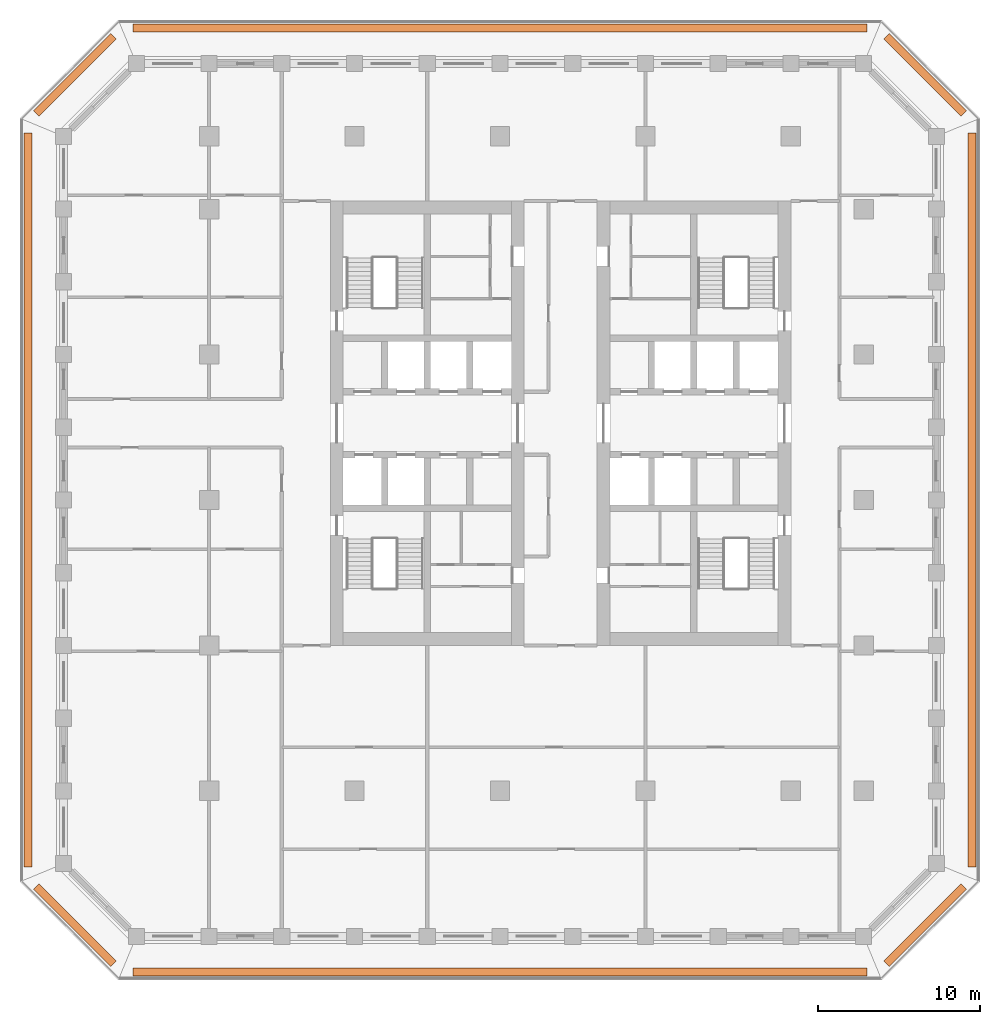
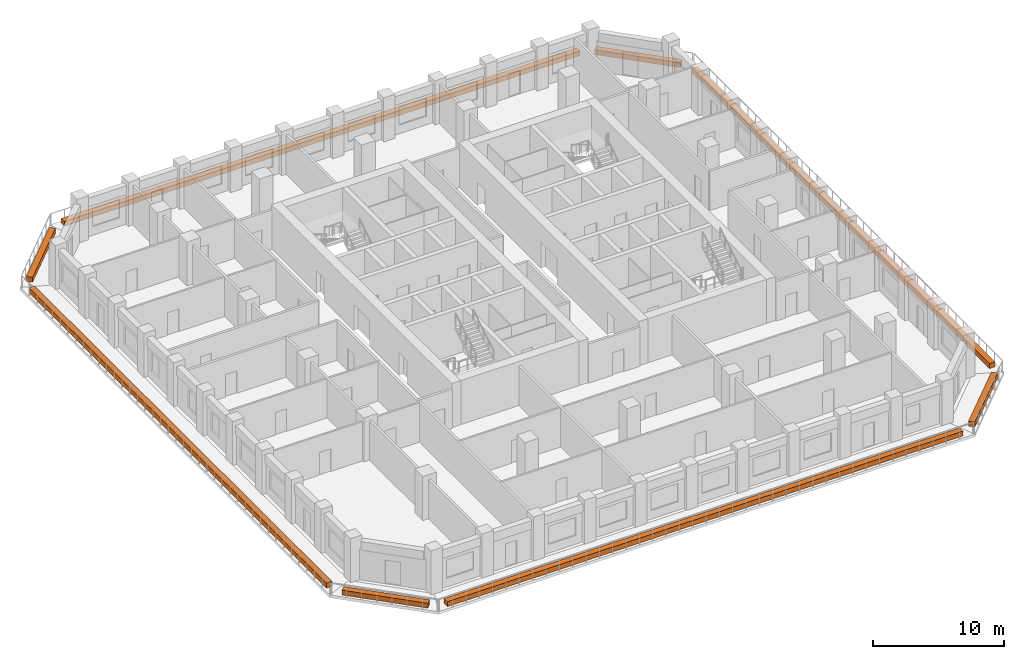
# One storey, part 16 of 16: 8 proxies.
"""IFC4 building model written with IfcOpenShell, lengths in metres."""

from ifc_helpers import new_model, si_unit, direction, frame, origin, origin_2d, place, context, subcontext, project, spatial, rectangle, extrude, material, type_object, element, save


model = new_model("IFC4")

# Units and contexts
model_context = context("Model", 3, precision=1e-05, world=origin(), true_north=direction((0.0, 1.0)))
body_context = subcontext(model_context, "Body", "Model", "MODEL_VIEW")
ifc_project = project(units=[si_unit("LENGTHUNIT", "METRE"), si_unit("AREAUNIT", "SQUARE_METRE"), si_unit("VOLUMEUNIT", "CUBIC_METRE"), si_unit("PLANEANGLEUNIT", "RADIAN"), si_unit("MASSUNIT", "GRAM", prefix="KILO")], contexts=[model_context])

# Site, building, storey
site_placement = place(None, origin())
site = spatial("IfcSite", under=ifc_project, at=site_placement, CompositionType="ELEMENT")
building_placement = place(site_placement, origin())
building = spatial("IfcBuilding", under=site, at=building_placement, Name="Corbel Stack Research Tower", CompositionType="ELEMENT")
storey_placement = place(building_placement, frame((0.0, 0.0, 177.300048828125)))
storey = spatial("IfcBuildingStorey", under=building, at=storey_placement, Name="L40", CompositionType="ELEMENT", Elevation=177.300048828125)

# Proxies
ifc_material = material(Name="Concrete C45/55", Category="concrete")
building_element_proxy_type = type_object("IfcBuildingElementProxyType", Name="Planter box", PredefinedType="USERDEFINED", material=ifc_material)
proxy_1_placement = place(storey_placement, frame((0.0, -29.199951171875, 0.0), z_axis=(0.0, 0.0, 1.0), x_axis=(1.0, 0.0, 0.0)))
element("IfcBuildingElementProxy", 1, at=proxy_1_placement, inside=storey, type_object=building_element_proxy_type, Name="Planter L40 S", ObjectType="PLANTER", PredefinedType="USERDEFINED", context=body_context, shape_type="SweptSolid", body=[
    extrude(rectangle(XDim=45.41064453125, YDim=0.5, at=origin_2d()), origin(), (0.0, 0.0, 1.0), 0.449951171875),
])
proxy_2_placement = place(storey_placement, frame((26.3056640625, -26.3056640625, 0.0), z_axis=(0.0, 0.0, 1.0), x_axis=(0.707106781187, 0.707106781187, 0.0)))
element("IfcBuildingElementProxy", 2, at=proxy_2_placement, inside=storey, type_object=building_element_proxy_type, Name="Planter L40 SE", ObjectType="PLANTER", PredefinedType="USERDEFINED", context=body_context, shape_type="SweptSolid", body=[
    extrude(rectangle(XDim=6.774658203125, YDim=0.5, at=origin_2d()), origin(), (0.0, 0.0, 1.0), 0.449951171875),
])
proxy_3_placement = place(storey_placement, frame((29.199951171875, 0.0, 0.0), z_axis=(0.0, 0.0, 1.0), x_axis=(0.0, 1.0, 0.0)))
element("IfcBuildingElementProxy", 3, at=proxy_3_placement, inside=storey, type_object=building_element_proxy_type, Name="Planter L40 E", ObjectType="PLANTER", PredefinedType="USERDEFINED", context=body_context, shape_type="SweptSolid", body=[
    extrude(rectangle(XDim=45.41064453125, YDim=0.5, at=origin_2d()), origin(), (0.0, 0.0, 1.0), 0.449951171875),
])
proxy_4_placement = place(storey_placement, frame((26.3056640625, 26.3056640625, 0.0), z_axis=(0.0, 0.0, 1.0), x_axis=(-0.707106781187, 0.707106781187, 0.0)))
element("IfcBuildingElementProxy", 4, at=proxy_4_placement, inside=storey, type_object=building_element_proxy_type, Name="Planter L40 NE", ObjectType="PLANTER", PredefinedType="USERDEFINED", context=body_context, shape_type="SweptSolid", body=[
    extrude(rectangle(XDim=6.774658203125, YDim=0.5, at=origin_2d()), origin(), (0.0, 0.0, 1.0), 0.449951171875),
])
proxy_5_placement = place(storey_placement, frame((0.0, 29.199951171875, 0.0), z_axis=(0.0, 0.0, 1.0), x_axis=(-1.0, 0.0, 0.0)))
element("IfcBuildingElementProxy", 5, at=proxy_5_placement, inside=storey, type_object=building_element_proxy_type, Name="Planter L40 N", ObjectType="PLANTER", PredefinedType="USERDEFINED", context=body_context, shape_type="SweptSolid", body=[
    extrude(rectangle(XDim=45.41064453125, YDim=0.5, at=origin_2d()), origin(), (0.0, 0.0, 1.0), 0.449951171875),
])
proxy_6_placement = place(storey_placement, frame((-26.3056640625, 26.3056640625, 0.0), z_axis=(0.0, 0.0, 1.0), x_axis=(-0.707106781187, -0.707106781187, 0.0)))
element("IfcBuildingElementProxy", 6, at=proxy_6_placement, inside=storey, type_object=building_element_proxy_type, Name="Planter L40 NW", ObjectType="PLANTER", PredefinedType="USERDEFINED", context=body_context, shape_type="SweptSolid", body=[
    extrude(rectangle(XDim=6.774658203125, YDim=0.5, at=origin_2d()), origin(), (0.0, 0.0, 1.0), 0.449951171875),
])
proxy_7_placement = place(storey_placement, frame((-29.199951171875, 0.0, 0.0), z_axis=(0.0, 0.0, 1.0), x_axis=(0.0, -1.0, 0.0)))
element("IfcBuildingElementProxy", 7, at=proxy_7_placement, inside=storey, type_object=building_element_proxy_type, Name="Planter L40 W", ObjectType="PLANTER", PredefinedType="USERDEFINED", context=body_context, shape_type="SweptSolid", body=[
    extrude(rectangle(XDim=45.41064453125, YDim=0.5, at=origin_2d()), origin(), (0.0, 0.0, 1.0), 0.449951171875),
])
proxy_8_placement = place(storey_placement, frame((-26.3056640625, -26.3056640625, 0.0), z_axis=(0.0, 0.0, 1.0), x_axis=(0.707106781187, -0.707106781187, 0.0)))
element("IfcBuildingElementProxy", 8, at=proxy_8_placement, inside=storey, type_object=building_element_proxy_type, Name="Planter L40 SW", ObjectType="PLANTER", PredefinedType="USERDEFINED", context=body_context, shape_type="SweptSolid", body=[
    extrude(rectangle(XDim=6.774658203125, YDim=0.5, at=origin_2d()), origin(), (0.0, 0.0, 1.0), 0.449951171875),
])

save(model, "model.ifc")
